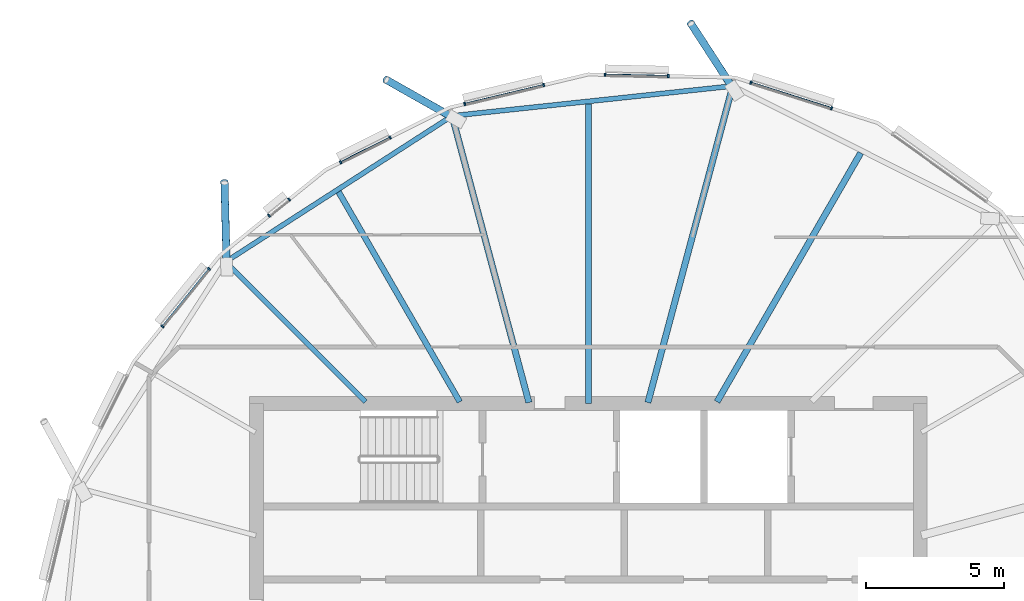
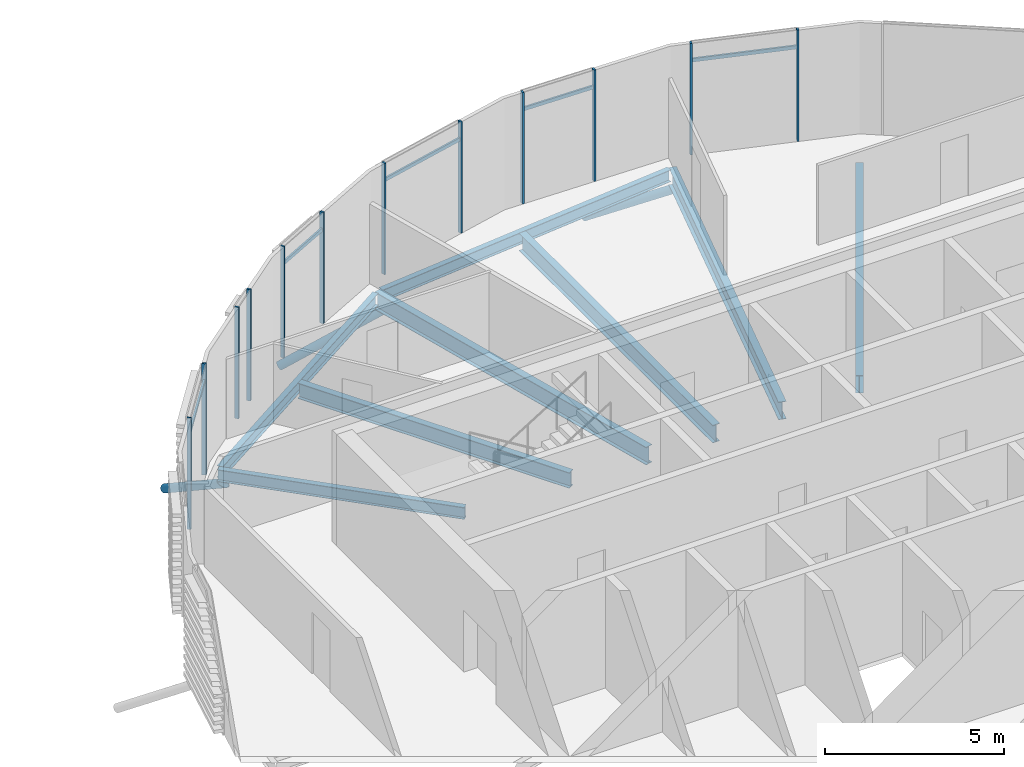
# One storey, part 14 of 41: 20 members, 8 beams, 1 element without a shape of its own.
"""IFC4 building model written with IfcOpenShell, lengths in metres."""

from ifc_helpers import new_model, si_unit, direction, frame, origin, origin_2d, place, context, subcontext, project, spatial, rectangle, hollow_circle, i_section, extrude, clip, halfspace, material, material_profile, profile_set, type_object, element, aggregate, save


model = new_model("IFC4")

# Units and contexts
model_context = context("Model", 3, precision=1e-05, world=origin(), true_north=direction((0.0, 1.0)))
body_context = subcontext(model_context, "Body", "Model", "MODEL_VIEW")
ifc_project = project(units=[si_unit("LENGTHUNIT", "METRE"), si_unit("AREAUNIT", "SQUARE_METRE"), si_unit("VOLUMEUNIT", "CUBIC_METRE"), si_unit("PLANEANGLEUNIT", "RADIAN"), si_unit("MASSUNIT", "GRAM", prefix="KILO")], contexts=[model_context])

# Site, building, storey
site_placement = place(None, origin())
site = spatial("IfcSite", under=ifc_project, at=site_placement, CompositionType="ELEMENT")
building_placement = place(site_placement, origin())
building = spatial("IfcBuilding", under=site, at=building_placement, Name="Rimbun Link Towers", CompositionType="ELEMENT")
storey_placement = place(building_placement, frame((0.0, 0.0, 214.300048828125)))
storey = spatial("IfcBuildingStorey", under=building, at=storey_placement, Name="L52", CompositionType="ELEMENT", Elevation=214.300048828125)

# Curtain wall, members
ifc_material_1 = material(Name="Aluminium 6063-T6 and low-iron glass", Category="aluminium")
curtain_wall_type = type_object("IfcCurtainWallType", Name="CW1-Z4 unitised vision wall (zone 4)", PredefinedType="NOTDEFINED", material=ifc_material_1)
curtain_wall_placement = place(storey_placement, origin())
curtain_wall = element("IfcCurtainWall", 1, at=curtain_wall_placement, inside=storey, type_object=curtain_wall_type, Name="CW1 L52 T2", PredefinedType="NOTDEFINED")
ifc_material_2 = material(Name="Aluminium 6063-T6", Category="aluminium")
ifc_material_profile_1 = material_profile(ifc_material_2, rectangle(XDim=0.1201171875, YDim=0.06005859375, at=origin_2d()), Name="MULLION 60X120")
ifc_profile_set_1 = profile_set([ifc_material_profile_1], Name="Aluminium 6063-T6")
member_type_1 = type_object("IfcMemberType", Name="CW1 mullion 60X120", PredefinedType="MULLION", material=ifc_profile_set_1)
member_1_placement = place(storey_placement, frame((37.625244140625, 19.600341796875, 0.0), z_axis=(0.0, 0.0, 1.0), x_axis=(0.30306786523, 0.952968975919, 0.0)))
member_1 = element("IfcMember", 2, at=member_1_placement, type_object=member_type_1, Name="CW1 mullion", PredefinedType="MULLION", context=body_context, shape_type="SweptSolid", body=[
    extrude(rectangle(XDim=0.1201171875, YDim=0.06005859375, at=origin_2d()), origin(), (0.0, 0.0, 1.0), 3.800048828125),
])
member_2_placement = place(storey_placement, frame((40.5419921875, 18.6728515625, 0.0), z_axis=(0.0, 0.0, 1.0), x_axis=(0.30306786523, 0.952968975919, 0.0)))
member_2 = element("IfcMember", 3, at=member_2_placement, type_object=member_type_1, Name="CW1 mullion", PredefinedType="MULLION", context=body_context, shape_type="SweptSolid", body=[
    extrude(rectangle(XDim=0.1201171875, YDim=0.06005859375, at=origin_2d()), origin(), (0.0, 0.0, 1.0), 3.800048828125),
])
member_3_placement = place(storey_placement, frame((32.35107421875, 19.883544921875, 0.0), z_axis=(0.0, 0.0, 1.0), x_axis=(0.021053739591, 0.999778345459, 0.0)))
member_3 = element("IfcMember", 4, at=member_3_placement, type_object=member_type_1, Name="CW1 mullion", PredefinedType="MULLION", context=body_context, shape_type="SweptSolid", body=[
    extrude(rectangle(XDim=0.1201171875, YDim=0.06005859375, at=origin_2d()), origin(), (0.0, 0.0, 1.0), 3.800048828125),
])
member_4_placement = place(storey_placement, frame((34.63720703125, 19.83544921875, 0.0), z_axis=(0.0, 0.0, 1.0), x_axis=(0.021053739591, 0.999778345459, 0.0)))
member_4 = element("IfcMember", 5, at=member_4_placement, type_object=member_type_1, Name="CW1 mullion", PredefinedType="MULLION", context=body_context, shape_type="SweptSolid", body=[
    extrude(rectangle(XDim=0.1201171875, YDim=0.06005859375, at=origin_2d()), origin(), (0.0, 0.0, 1.0), 3.800048828125),
])
member_5_placement = place(storey_placement, frame((27.27587890625, 18.827880859375, 0.0), z_axis=(0.0, 0.0, 1.0), x_axis=(-0.232599638579, 0.972572572168, 0.0)))
member_5 = element("IfcMember", 6, at=member_5_placement, type_object=member_type_1, Name="CW1 mullion", PredefinedType="MULLION", context=body_context, shape_type="SweptSolid", body=[
    extrude(rectangle(XDim=0.1201171875, YDim=0.06005859375, at=origin_2d()), origin(), (0.0, 0.0, 1.0), 3.800048828125),
])
member_6_placement = place(storey_placement, frame((30.13134765625, 19.510986328125, 0.0), z_axis=(0.0, 0.0, 1.0), x_axis=(-0.232599638579, 0.972572572168, 0.0)))
member_6 = element("IfcMember", 7, at=member_6_placement, type_object=member_type_1, Name="CW1 mullion", PredefinedType="MULLION", context=body_context, shape_type="SweptSolid", body=[
    extrude(rectangle(XDim=0.1201171875, YDim=0.06005859375, at=origin_2d()), origin(), (0.0, 0.0, 1.0), 3.800048828125),
])
member_7_placement = place(storey_placement, frame((22.79296875, 16.71923828125, 0.0), z_axis=(0.0, 0.0, 1.0), x_axis=(-0.448763830524, 0.893650392723, 0.0)))
member_7 = element("IfcMember", 8, at=member_7_placement, type_object=member_type_1, Name="CW1 mullion", PredefinedType="MULLION", context=body_context, shape_type="SweptSolid", body=[
    extrude(rectangle(XDim=0.1201171875, YDim=0.06005859375, at=origin_2d()), origin(), (0.0, 0.0, 1.0), 3.800048828125),
])
member_8_placement = place(storey_placement, frame((24.583251953125, 17.6181640625, 0.0), z_axis=(0.0, 0.0, 1.0), x_axis=(-0.448763830524, 0.893650392723, 0.0)))
member_8 = element("IfcMember", 9, at=member_8_placement, type_object=member_type_1, Name="CW1 mullion", PredefinedType="MULLION", context=body_context, shape_type="SweptSolid", body=[
    extrude(rectangle(XDim=0.1201171875, YDim=0.06005859375, at=origin_2d()), origin(), (0.0, 0.0, 1.0), 3.800048828125),
])
member_9_placement = place(storey_placement, frame((20.203857421875, 14.7900390625, 0.0), z_axis=(0.0, 0.0, 1.0), x_axis=(-0.629171955734, 0.777266138538, 0.0)))
member_9 = element("IfcMember", 10, at=member_9_placement, type_object=member_type_1, Name="CW1 mullion", PredefinedType="MULLION", context=body_context, shape_type="SweptSolid", body=[
    extrude(rectangle(XDim=0.1201171875, YDim=0.06005859375, at=origin_2d()), origin(), (0.0, 0.0, 1.0), 3.800048828125),
])
member_10_placement = place(storey_placement, frame((20.924560546875, 15.373291015625, 0.0), z_axis=(0.0, 0.0, 1.0), x_axis=(-0.629171955734, 0.777266138538, 0.0)))
member_10 = element("IfcMember", 11, at=member_10_placement, type_object=member_type_1, Name="CW1 mullion", PredefinedType="MULLION", context=body_context, shape_type="SweptSolid", body=[
    extrude(rectangle(XDim=0.1201171875, YDim=0.06005859375, at=origin_2d()), origin(), (0.0, 0.0, 1.0), 3.800048828125),
])
member_11_placement = place(storey_placement, frame((16.34521484375, 10.78662109375, 0.0), z_axis=(0.0, 0.0, 1.0), x_axis=(-0.777266138538, 0.629171955734, 0.0)))
member_11 = element("IfcMember", 12, at=member_11_placement, type_object=member_type_1, Name="CW1 mullion", PredefinedType="MULLION", context=body_context, shape_type="SweptSolid", body=[
    extrude(rectangle(XDim=0.1201171875, YDim=0.06005859375, at=origin_2d()), origin(), (0.0, 0.0, 1.0), 3.800048828125),
])
member_12_placement = place(storey_placement, frame((18.029541015625, 12.86767578125, 0.0), z_axis=(0.0, 0.0, 1.0), x_axis=(-0.777266138538, 0.629171955734, 0.0)))
member_12 = element("IfcMember", 13, at=member_12_placement, type_object=member_type_1, Name="CW1 mullion", PredefinedType="MULLION", context=body_context, shape_type="SweptSolid", body=[
    extrude(rectangle(XDim=0.1201171875, YDim=0.06005859375, at=origin_2d()), origin(), (0.0, 0.0, 1.0), 3.800048828125),
])
ifc_material_3 = material(Name="Aluminium 6063-T6", Category="aluminium")
ifc_material_profile_2 = material_profile(ifc_material_3, rectangle(XDim=0.06005859375, YDim=0.1201171875, at=origin_2d()), Name="TRANSOM 60X120")
ifc_profile_set_2 = profile_set([ifc_material_profile_2], Name="Aluminium 6063-T6")
member_type_2 = type_object("IfcMemberType", Name="CW1 transom 60X120", PredefinedType="USERDEFINED", material=ifc_profile_set_2)
member_13_placement = place(storey_placement, frame((37.6533203125, 19.58935546875, 3.199951171875), z_axis=(0.952962105591, -0.303089467497, 0.0), x_axis=(0.303089467497, 0.952962105591, 0.0)))
member_13 = element("IfcMember", 14, at=member_13_placement, type_object=member_type_2, Name="CW1 transom", ObjectType="TRANSOM", PredefinedType="USERDEFINED", context=body_context, shape_type="SweptSolid", body=[
    extrude(rectangle(XDim=0.06005859375, YDim=0.1201171875, at=origin_2d()), origin(), (0.0, 0.0, 1.0), 3.00048828125),
])
member_14_placement = place(storey_placement, frame((32.381103515625, 19.881103515625, 3.199951171875), z_axis=(0.999778369826, -0.021052582475, 0.0), x_axis=(0.021052582475, 0.999778369826, 0.0)))
member_14 = element("IfcMember", 15, at=member_14_placement, type_object=member_type_2, Name="CW1 transom", ObjectType="TRANSOM", PredefinedType="USERDEFINED", context=body_context, shape_type="SweptSolid", body=[
    extrude(rectangle(XDim=0.06005859375, YDim=0.1201171875, at=origin_2d()), origin(), (0.0, 0.0, 1.0), 2.2265625),
])
member_15_placement = place(storey_placement, frame((27.3056640625, 18.8330078125, 3.199951171875), z_axis=(0.972568871731, 0.232615110732, 0.0), x_axis=(-0.232615110732, 0.972568871731, 0.0)))
member_15 = element("IfcMember", 16, at=member_15_placement, type_object=member_type_2, Name="CW1 transom", ObjectType="TRANSOM", PredefinedType="USERDEFINED", context=body_context, shape_type="SweptSolid", body=[
    extrude(rectangle(XDim=0.06005859375, YDim=0.1201171875, at=origin_2d()), origin(), (0.0, 0.0, 1.0), 2.875732421875),
])
member_16_placement = place(storey_placement, frame((22.820556640625, 16.73095703125, 3.199951171875), z_axis=(0.893672190961, 0.448720419752, 0.0), x_axis=(-0.448720419752, 0.893672190961, 0.0)))
member_16 = element("IfcMember", 17, at=member_16_placement, type_object=member_type_2, Name="CW1 transom", ObjectType="TRANSOM", PredefinedType="USERDEFINED", context=body_context, shape_type="SweptSolid", body=[
    extrude(rectangle(XDim=0.06005859375, YDim=0.1201171875, at=origin_2d()), origin(), (0.0, 0.0, 1.0), 1.943359375),
])
member_17_placement = place(storey_placement, frame((16.36572265625, 10.80859375, 3.199951171875), z_axis=(0.629155294601, 0.777279624894, 0.0), x_axis=(-0.777279624894, 0.629155294601, 0.0)))
member_17 = element("IfcMember", 18, at=member_17_placement, type_object=member_type_2, Name="CW1 transom", ObjectType="TRANSOM", PredefinedType="USERDEFINED", context=body_context, shape_type="SweptSolid", body=[
    extrude(rectangle(XDim=0.06005859375, YDim=0.1201171875, at=origin_2d()), origin(), (0.0, 0.0, 1.0), 2.617431640625),
])
aggregate(curtain_wall, [member_1, member_2, member_3, member_4, member_5, member_6, member_7, member_8, member_9, member_10, member_11, member_12, member_13, member_14, member_15, member_16, member_17])

# Members
ifc_material_4 = material(Name="Steel S355J2H", Category="steel")
ifc_material_profile_3 = material_profile(ifc_material_4, hollow_circle(Radius=0.136474609375, WallThickness=0.012451171875, at=origin_2d()), Name="CHS 273x12.5")
ifc_profile_set_3 = profile_set([ifc_material_profile_3], Name="Steel S355J2H")
member_type_3 = type_object("IfcMemberType", Name="Floor edge link CHS 273x12.5", PredefinedType="BRACE", material=ifc_profile_set_3)
member_18_placement = place(storey_placement, frame((36.955810546875, 19.427978515625, -0.85693359375), z_axis=(-0.455837697125, 0.701897698612, -0.547313086417), x_axis=(-0.838659651225, -0.544655844922, 0.0)))
element("IfcMember", 19, at=member_18_placement, inside=storey, type_object=member_type_3, Name="Floor edge link T2 L52 02", PredefinedType="BRACE", context=body_context, shape_type="Clipping", body=[
    clip(extrude(hollow_circle(Radius=0.136474609375, WallThickness=0.012451171875, at=origin_2d()), frame((0.0, 0.0, -0.435791015625)), (0.0, 0.0, 1.0), 3.7666015625), halfspace(frame((0.0, 0.0, -0.205078125), z_axis=(0.0, 0.836927945188, -0.547313086417)), False)),
])
member_19_placement = place(storey_placement, frame((26.833984375, 18.3466796875, -0.85693359375), z_axis=(-0.72825671093, 0.412155756357, -0.547512370168), x_axis=(-0.492539369025, -0.870290164233, 0.0)))
element("IfcMember", 20, at=member_19_placement, inside=storey, type_object=member_type_3, Name="Floor edge link T2 L52 04", PredefinedType="BRACE", context=body_context, shape_type="Clipping", body=[
    clip(extrude(hollow_circle(Radius=0.136474609375, WallThickness=0.012451171875, at=origin_2d()), frame((0.0, 0.0, -0.435546875)), (0.0, 0.0, 1.0), 3.76513671875), halfspace(frame((0.0, 0.0, -0.205078125), z_axis=(0.0, 0.836797588735, -0.547512370168)), False)),
])
member_20_placement = place(storey_placement, frame((18.6669921875, 13.0830078125, -0.660888671875), z_axis=(-0.021967831403, 0.836863146939, -0.54697119456), x_axis=(-0.999655641255, -0.026241168187, 0.0)))
element("IfcMember", 21, at=member_20_placement, inside=storey, type_object=member_type_3, Name="Floor edge link T2 L52 06", PredefinedType="BRACE", context=body_context, shape_type="Clipping", body=[
    clip(extrude(hollow_circle(Radius=0.136474609375, WallThickness=0.012451171875, at=origin_2d()), frame((0.0, 0.0, -0.43603515625)), (0.0, 0.0, 1.0), 3.947998046875), halfspace(frame((0.0, 0.0, -0.20556640625), z_axis=(0.0, 0.837151427354, -0.54697119456)), False)),
])

# Beams
ifc_material_5 = material(Name="Steel S355J2", Category="steel")
ifc_material_profile_4 = material_profile(ifc_material_5, i_section(OverallWidth=0.177978515625, OverallDepth=0.406494140625, WebThickness=0.0078125, FlangeThickness=0.0126953125, at=origin_2d()), Name="UB 406x178x60")
ifc_profile_set_4 = profile_set([ifc_material_profile_4], Name="Steel S355J2")
beam_type_1 = type_object("IfcBeamType", Name="UB 406x178x60", PredefinedType="BEAM", material=ifc_profile_set_4)
beam_1_placement = place(storey_placement, frame((23.686279296875, 8.063720703125, -0.34326171875), z_axis=(-0.707106781187, 0.707106781187, 0.0), x_axis=(-0.707106781187, -0.707106781187, 0.0)))
element("IfcBeam", 22, at=beam_1_placement, inside=storey, type_object=beam_type_1, Name="Radial beam T2 L52 06", PredefinedType="BEAM", context=body_context, shape_type="SweptSolid", body=[
    extrude(i_section(OverallWidth=0.177978515625, OverallDepth=0.406494140625, WebThickness=0.0078125, FlangeThickness=0.0126953125, at=origin_2d()), origin(), (0.0, 0.0, 1.0), 7.1484375),
])
beam_2_placement = place(storey_placement, frame((36.846435546875, 19.46337890625, -0.34326171875), z_axis=(-0.99437135441, -0.10595097701, 0.0), x_axis=(0.10595097701, -0.99437135441, 0.0)))
element("IfcBeam", 23, at=beam_2_placement, inside=storey, type_object=beam_type_1, Name="Edge beam T2 L52 02-04", PredefinedType="BEAM", context=body_context, shape_type="SweptSolid", body=[
    extrude(i_section(OverallWidth=0.177978515625, OverallDepth=0.406494140625, WebThickness=0.0078125, FlangeThickness=0.0126953125, at=origin_2d()), origin(), (0.0, 0.0, 1.0), 9.966064453125),
])
beam_3_placement = place(storey_placement, frame((26.7197265625, 18.329833984375, -0.34326171875), z_axis=(-0.840611990977, -0.541637776217, 0.0), x_axis=(0.541637776217, -0.840611990977, 0.0)))
element("IfcBeam", 24, at=beam_3_placement, inside=storey, type_object=beam_type_1, Name="Edge beam T2 L52 04-06", PredefinedType="BEAM", context=body_context, shape_type="SweptSolid", body=[
    extrude(i_section(OverallWidth=0.177978515625, OverallDepth=0.406494140625, WebThickness=0.0078125, FlangeThickness=0.0126953125, at=origin_2d()), origin(), (0.0, 0.0, 1.0), 9.529541015625),
])
ifc_material_6 = material(Name="Steel S355J2", Category="steel")
ifc_material_profile_5 = material_profile(ifc_material_6, i_section(OverallWidth=0.209228515625, OverallDepth=0.533203125, WebThickness=0.010009765625, FlangeThickness=0.015625, at=origin_2d()), Name="UB 533x210x92")
ifc_profile_set_5 = profile_set([ifc_material_profile_5], Name="Steel S355J2")
beam_type_2 = type_object("IfcBeamType", Name="UB 533x210x92", PredefinedType="BEAM", material=ifc_profile_set_5)
beam_4_placement = place(storey_placement, frame((27.1005859375, 8.05322265625, -0.406494140625), z_axis=(-0.500009360108, 0.866019999656, 0.0), x_axis=(-0.866019999656, -0.500009360108, 0.0)))
element("IfcBeam", 25, at=beam_4_placement, inside=storey, type_object=beam_type_2, Name="Radial beam T2 L52 05", PredefinedType="BEAM", context=body_context, shape_type="SweptSolid", body=[
    extrude(i_section(OverallWidth=0.209228515625, OverallDepth=0.533203125, WebThickness=0.010009765625, FlangeThickness=0.015625, at=origin_2d()), origin(), (0.0, 0.0, 1.0), 8.765380859375),
])
ifc_material_7 = material(Name="Steel S355J2", Category="steel")
ifc_material_profile_6 = material_profile(ifc_material_7, i_section(OverallWidth=0.2275390625, OverallDepth=0.6025390625, WebThickness=0.010498046875, FlangeThickness=0.014892578125, at=origin_2d()), Name="UB 610x229x101")
ifc_profile_set_6 = profile_set([ifc_material_profile_6], Name="Steel S355J2")
beam_type_3 = type_object("IfcBeamType", Name="UB 610x229x101", PredefinedType="BEAM", material=ifc_profile_set_6)
beam_5_placement = place(storey_placement, frame((36.402099609375, 8.057861328125, -0.44140625), z_axis=(0.500014053459, 0.866017289864, 0.0), x_axis=(-0.866017289864, 0.500014053459, 0.0)))
element("IfcBeam", 26, at=beam_5_placement, inside=storey, type_object=beam_type_3, Name="Radial beam T2 L52 01", PredefinedType="BEAM", context=body_context, shape_type="SweptSolid", body=[
    extrude(i_section(OverallWidth=0.2275390625, OverallDepth=0.6025390625, WebThickness=0.010498046875, FlangeThickness=0.014892578125, at=origin_2d()), origin(), (0.0, 0.0, 1.0), 10.387939453125),
])
beam_6_placement = place(storey_placement, frame((33.901611328125, 8.030517578125, -0.44140625), z_axis=(0.258838382704, 0.965920644587, 0.0), x_axis=(-0.965920644587, 0.258838382704, 0.0)))
element("IfcBeam", 27, at=beam_6_placement, inside=storey, type_object=beam_type_3, Name="Radial beam T2 L52 02", PredefinedType="BEAM", context=body_context, shape_type="SweptSolid", body=[
    extrude(i_section(OverallWidth=0.2275390625, OverallDepth=0.6025390625, WebThickness=0.010498046875, FlangeThickness=0.014892578125, at=origin_2d()), origin(), (0.0, 0.0, 1.0), 11.849609375),
])
beam_7_placement = place(storey_placement, frame((31.75, 8.0009765625, -0.44140625), z_axis=(0.0, 1.0, 0.0), x_axis=(-1.0, 0.0, 0.0)))
element("IfcBeam", 28, at=beam_7_placement, inside=storey, type_object=beam_type_3, Name="Radial beam T2 L52 03", PredefinedType="BEAM", context=body_context, shape_type="SweptSolid", body=[
    extrude(i_section(OverallWidth=0.2275390625, OverallDepth=0.6025390625, WebThickness=0.010498046875, FlangeThickness=0.014892578125, at=origin_2d()), origin(), (0.0, 0.0, 1.0), 10.828857421875),
])
beam_8_placement = place(storey_placement, frame((29.598388671875, 8.030517578125, -0.44140625), z_axis=(-0.258835028784, 0.965921543333, 0.0), x_axis=(-0.965921543333, -0.258835028784, 0.0)))
element("IfcBeam", 29, at=beam_8_placement, inside=storey, type_object=beam_type_3, Name="Radial beam T2 L52 04", PredefinedType="BEAM", context=body_context, shape_type="SweptSolid", body=[
    extrude(i_section(OverallWidth=0.2275390625, OverallDepth=0.6025390625, WebThickness=0.010498046875, FlangeThickness=0.014892578125, at=origin_2d()), origin(), (0.0, 0.0, 1.0), 10.730224609375),
])

save(model, "model.ifc")
